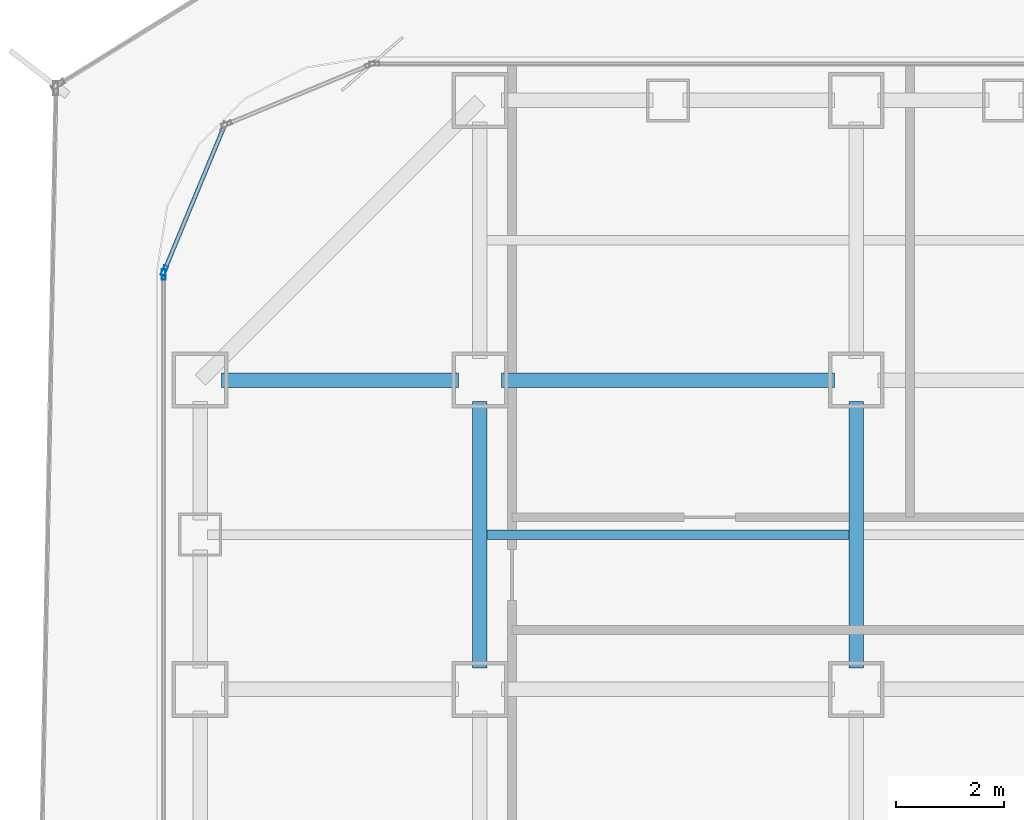
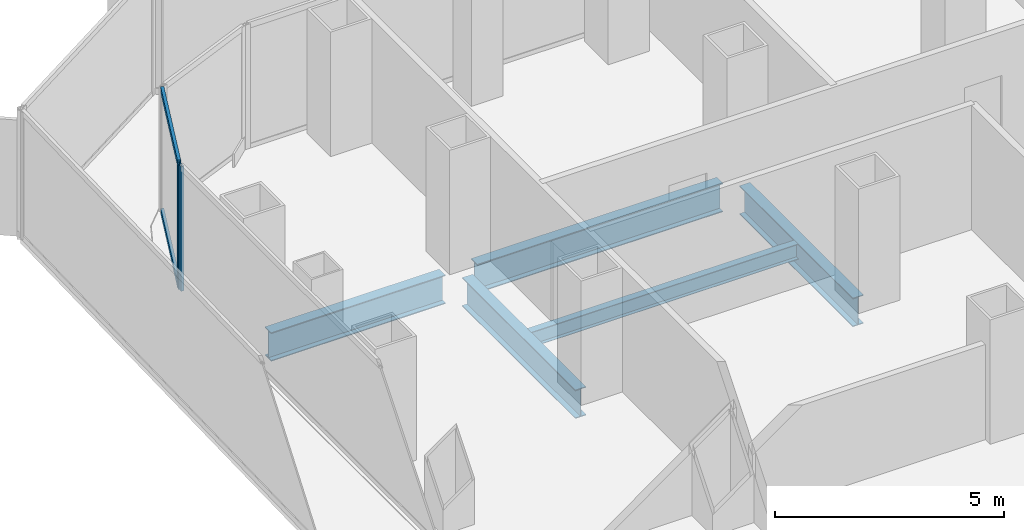
# One storey, part 10 of 22: 5 beams, 4 members, 2 elements without a shape of their own.
"""IFC4 building model written with IfcOpenShell, lengths in metres."""

from ifc_helpers import new_model, si_unit, direction, frame, origin, origin_2d, place, context, subcontext, project, spatial, hollow_rectangle, i_section, extrude, source, transform, mapped, material, layer, layer_set, material_profile, profile_set, type_object, element, aggregate, save


model = new_model("IFC4")

# Units and contexts
model_context = context("Model", 3, precision=1e-05, world=origin(), true_north=direction((0.0, 1.0)))
body_context = subcontext(model_context, "Body", "Model", "MODEL_VIEW")
ifc_project = project(units=[si_unit("LENGTHUNIT", "METRE"), si_unit("AREAUNIT", "SQUARE_METRE"), si_unit("VOLUMEUNIT", "CUBIC_METRE"), si_unit("PLANEANGLEUNIT", "RADIAN"), si_unit("MASSUNIT", "GRAM", prefix="KILO")], contexts=[model_context])

# Site, building, storey
site_placement = place(None, origin())
site = spatial("IfcSite", under=ifc_project, at=site_placement, CompositionType="ELEMENT")
building_placement = place(site_placement, origin())
building = spatial("IfcBuilding", under=site, at=building_placement, Name="Kolveth Station Tower", CompositionType="ELEMENT")
storey_placement = place(building_placement, frame((0.0, 0.0, 81.0)))
storey = spatial("IfcBuildingStorey", under=building, at=storey_placement, Name="L21", CompositionType="ELEMENT", Elevation=81.0)

# Beams
ifc_material_1 = material(Name="Steel S355", Category="steel")
ifc_material_profile_1 = material_profile(ifc_material_1, i_section(OverallWidth=0.26708984375, OverallDepth=0.76611328125, WebThickness=0.014892578125, FlangeThickness=0.023681640625, at=origin_2d()), Name="W760x185")
ifc_profile_set_1 = profile_set([ifc_material_profile_1], Name="Steel S355")
beam_type_1 = type_object("IfcBeamType", Name="Beam_B3", PredefinedType="BEAM", material=ifc_profile_set_1)
shared_shape_1 = source(origin(), body_context, "Body", "SweptSolid", [
    extrude(i_section(OverallWidth=0.26708984375, OverallDepth=0.76611328125, WebThickness=0.014892578125, FlangeThickness=0.023681640625, at=origin_2d()), origin(), (0.0, 0.0, 1.0), 4.400146484375),
])
beam_1_placement = place(storey_placement, frame((1.199951171875, 34.5, -0.6630859375), z_axis=(1.0, 0.0, 0.0), x_axis=(0.0, 1.0, 0.0)))
element("IfcBeam", 1, at=beam_1_placement, inside=storey, type_object=beam_type_1, Name="L21 Primary Girder BM-L21-GY345-1", PredefinedType="BEAM", context=body_context, shape_type="MappedRepresentation", body=[
    mapped(shared_shape_1, transform((0.0, 0.0, 0.0), x_axis=(1.0, 0.0, 0.0), y_axis=(0.0, 1.0, 0.0), z_axis=(0.0, 0.0, 1.0), scale=1.0)),
])
shared_shape_2 = source(origin(), body_context, "Body", "SweptSolid", [
    extrude(i_section(OverallWidth=0.26708984375, OverallDepth=0.76611328125, WebThickness=0.014892578125, FlangeThickness=0.023681640625, at=origin_2d()), origin(), (0.0, 0.0, 1.0), 6.2001953125),
])
beam_2_placement = place(storey_placement, frame((6.39990234375, 34.5, -0.6630859375), z_axis=(1.0, 0.0, 0.0), x_axis=(0.0, 1.0, 0.0)))
element("IfcBeam", 2, at=beam_2_placement, inside=storey, type_object=beam_type_1, Name="L21 Primary Girder BM-L21-GY345-2", PredefinedType="BEAM", context=body_context, shape_type="MappedRepresentation", body=[
    mapped(shared_shape_2, transform((0.0, 0.0, 0.0), x_axis=(1.0, 0.0, 0.0), y_axis=(0.0, 1.0, 0.0), z_axis=(0.0, 0.0, 1.0), scale=1.0)),
])
shared_shape_3 = source(origin(), body_context, "Body", "SweptSolid", [
    extrude(i_section(OverallWidth=0.26708984375, OverallDepth=0.76611328125, WebThickness=0.014892578125, FlangeThickness=0.023681640625, at=origin_2d()), origin(), (0.0, 0.0, 1.0), 4.9501953125),
])
for number, where, z_axis, x_axis, name in (
    (3, (6.0, 29.14990234375, -0.6630859375), (0.0, 1.0, 0.0), (-1.0, 0.0, 0.0), "L21 Primary Girder BM-L21-GX60-6"),
    (4, (13.0, 29.14990234375, -0.6630859375), (0.0, 1.0, 0.0), (-1.0, 0.0, 0.0), "L21 Primary Girder BM-L21-GX130-6"),
):
    element("IfcBeam", number, at=place(storey_placement, frame(where, z_axis=z_axis, x_axis=x_axis)), inside=storey, type_object=beam_type_1, Name=name, PredefinedType="BEAM", context=body_context, shape_type="MappedRepresentation", body=[
        mapped(shared_shape_3, transform((0.0, 0.0, 0.0), x_axis=(1.0, 0.0, 0.0), y_axis=(0.0, 1.0, 0.0), z_axis=(0.0, 0.0, 1.0), scale=1.0)),
    ])
ifc_material_profile_2 = material_profile(ifc_material_1, i_section(OverallWidth=0.177978515625, OverallDepth=0.406982421875, WebThickness=0.0078125, FlangeThickness=0.0126953125, at=origin_2d()), Name="W410x60")
ifc_profile_set_2 = profile_set([ifc_material_profile_2], Name="Steel S355")
beam_type_2 = type_object("IfcBeamType", Name="Beam_J1", PredefinedType="JOIST", material=ifc_profile_set_2)
shared_shape_4 = source(origin(), body_context, "Body", "SweptSolid", [
    extrude(i_section(OverallWidth=0.177978515625, OverallDepth=0.406982421875, WebThickness=0.0078125, FlangeThickness=0.0126953125, at=origin_2d()), origin(), (0.0, 0.0, 1.0), 6.73681640625),
])
beam_3_placement = place(storey_placement, frame((6.131591796875, 31.625, -0.4833984375), z_axis=(1.0, 0.0, 0.0), x_axis=(0.0, 1.0, 0.0)))
element("IfcBeam", 5, at=beam_3_placement, inside=storey, type_object=beam_type_2, Name="L21 Secondary Joist JST-L21-2-6", PredefinedType="JOIST", context=body_context, shape_type="MappedRepresentation", body=[
    mapped(shared_shape_4, transform((0.0, 0.0, 0.0), x_axis=(1.0, 0.0, 0.0), y_axis=(0.0, 1.0, 0.0), z_axis=(0.0, 0.0, 1.0), scale=1.0)),
])

# Curtain wall, member
ifc_material_2 = material(Name="Aluminium 6063-T6 and low-E dark glass", Category="aluminium")
ifc_layer = layer(ifc_material_2, 0.179931640625)
ifc_layer_set = layer_set([ifc_layer], Name="Aluminium 6063-T6 and low-E dark glass")
curtain_wall_type = type_object("IfcCurtainWallType", Name="CurtainWall_CW-Z1", PredefinedType="NOTDEFINED", material=ifc_layer_set)
curtain_wall_1_placement = place(storey_placement, origin())
curtain_wall_1 = element("IfcCurtainWall", 6, at=curtain_wall_1_placement, inside=storey, type_object=curtain_wall_type, Name="L21 Inner Thermal Curtain Wall 8", PredefinedType="NOTDEFINED")
ifc_material_3 = material(Name="Black anodized aluminium 6063-T6", Category="aluminium")
ifc_material_profile_3 = material_profile(ifc_material_3, hollow_rectangle(XDim=0.074951171875, YDim=0.18994140625, WallThickness=0.0048828125, at=origin_2d()), Name="ALU-75x190x5")
ifc_profile_set_3 = profile_set([ifc_material_profile_3], Name="Black anodized aluminium 6063-T6")
member_type_1 = type_object("IfcMemberType", Name="Mullion_ML1", PredefinedType="MULLION", material=ifc_profile_set_3)
shared_shape_5 = source(origin(), body_context, "Body", "SweptSolid", [
    extrude(hollow_rectangle(XDim=0.074951171875, YDim=0.18994140625, WallThickness=0.0048828125, at=origin_2d()), origin(), (0.0, 0.0, 1.0), 3.320068359375),
])
member_1_placement = place(storey_placement, frame((0.13427734375, 36.53466796875, 0.0), z_axis=(0.0, 0.0, 1.0), x_axis=(0.923883857728, -0.382672990201, 0.0)))
member_1 = element("IfcMember", 7, at=member_1_placement, type_object=member_type_1, Name="CW-Z1 mullion 2", PredefinedType="MULLION", context=body_context, shape_type="MappedRepresentation", body=[
    mapped(shared_shape_5, transform((0.0, 0.0, 0.0), x_axis=(1.0, 0.0, 0.0), y_axis=(0.0, 1.0, 0.0), z_axis=(0.0, 0.0, 1.0), scale=1.0)),
])

curtain_wall_2_placement = place(storey_placement, origin())
curtain_wall_2 = element("IfcCurtainWall", 8, at=curtain_wall_2_placement, inside=storey, type_object=curtain_wall_type, Name="L21 Inner Thermal Curtain Wall 9", PredefinedType="NOTDEFINED")
member_2_placement = place(storey_placement, frame((0.1201171875, 36.46240234375, 0.0), z_axis=(0.0, 0.0, 1.0), x_axis=(1.0, 0.0, 0.0)))
member_2 = element("IfcMember", 9, at=member_2_placement, type_object=member_type_1, Name="CW-Z1 mullion 1", PredefinedType="MULLION", context=body_context, shape_type="MappedRepresentation", body=[
    mapped(shared_shape_5, transform((0.0, 0.0, 0.0), x_axis=(1.0, 0.0, 0.0), y_axis=(0.0, 1.0, 0.0), z_axis=(0.0, 0.0, 1.0), scale=1.0)),
])
aggregate(curtain_wall_2, [member_2])

# Member
ifc_material_profile_4 = material_profile(ifc_material_3, hollow_rectangle(XDim=0.074951171875, YDim=0.159912109375, WallThickness=0.0048828125, at=origin_2d()), Name="ALU-75x160x5")
ifc_profile_set_4 = profile_set([ifc_material_profile_4], Name="Black anodized aluminium 6063-T6")
member_type_2 = type_object("IfcMemberType", Name="Transom_TR1", PredefinedType="USERDEFINED", material=ifc_profile_set_4)
shared_shape_6 = source(origin(), body_context, "Body", "SweptSolid", [
    extrude(hollow_rectangle(XDim=0.074951171875, YDim=0.159912109375, WallThickness=0.0048828125, at=origin_2d()), origin(), (0.0, 0.0, 1.0), 2.819580078125),
])
member_3_placement = place(storey_placement, frame((1.227783203125, 39.17431640625, 0.03759765625), z_axis=(-0.382708655389, -0.923869084389, 0.0), x_axis=(0.923869084389, -0.382708655389, 0.0)))
member_3 = element("IfcMember", 10, at=member_3_placement, type_object=member_type_2, Name="CW-Z1 transom 1.1", ObjectType="TRANSOM", PredefinedType="USERDEFINED", context=body_context, shape_type="MappedRepresentation", body=[
    mapped(shared_shape_6, transform((0.0, 0.0, 0.0), x_axis=(1.0, 0.0, 0.0), y_axis=(0.0, 1.0, 0.0), z_axis=(0.0, 0.0, 1.0), scale=1.0)),
])

member_4_placement = place(storey_placement, frame((1.227783203125, 39.17431640625, 3.282470703125), z_axis=(-0.382708655389, -0.923869084389, 0.0), x_axis=(0.923869084389, -0.382708655389, 0.0)))
member_4 = element("IfcMember", 11, at=member_4_placement, type_object=member_type_2, Name="CW-Z1 transom 1.2", ObjectType="TRANSOM", PredefinedType="USERDEFINED", context=body_context, shape_type="MappedRepresentation", body=[
    mapped(shared_shape_6, transform((0.0, 0.0, 0.0), x_axis=(1.0, 0.0, 0.0), y_axis=(0.0, 1.0, 0.0), z_axis=(0.0, 0.0, 1.0), scale=1.0)),
])

aggregate(curtain_wall_1, [member_1, member_3, member_4])

save(model, "model.ifc")
